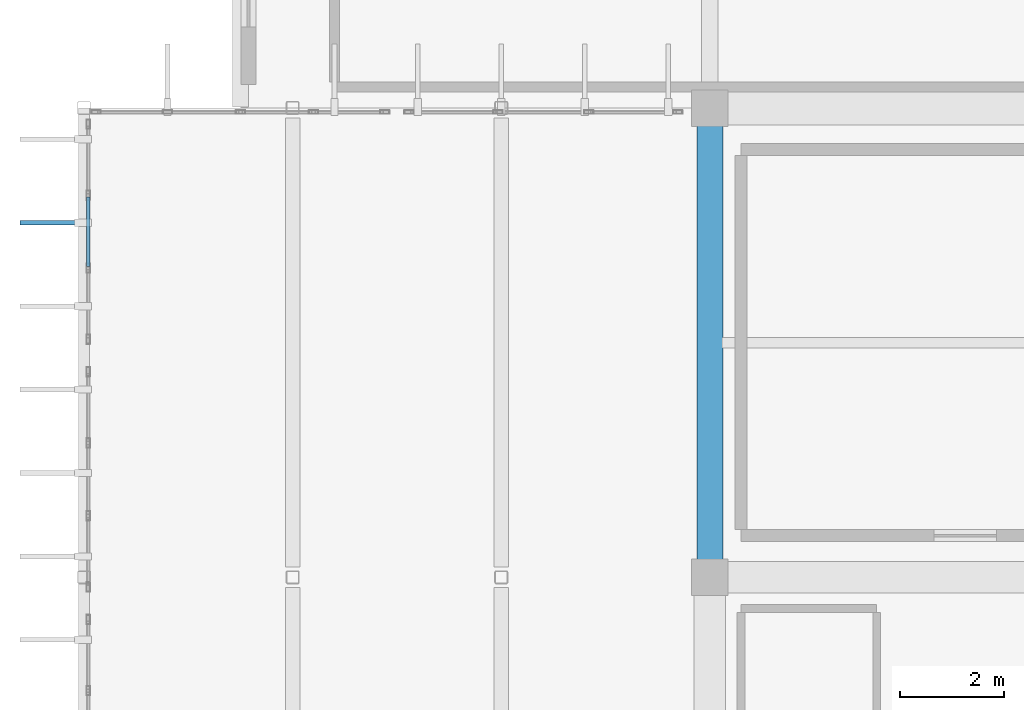
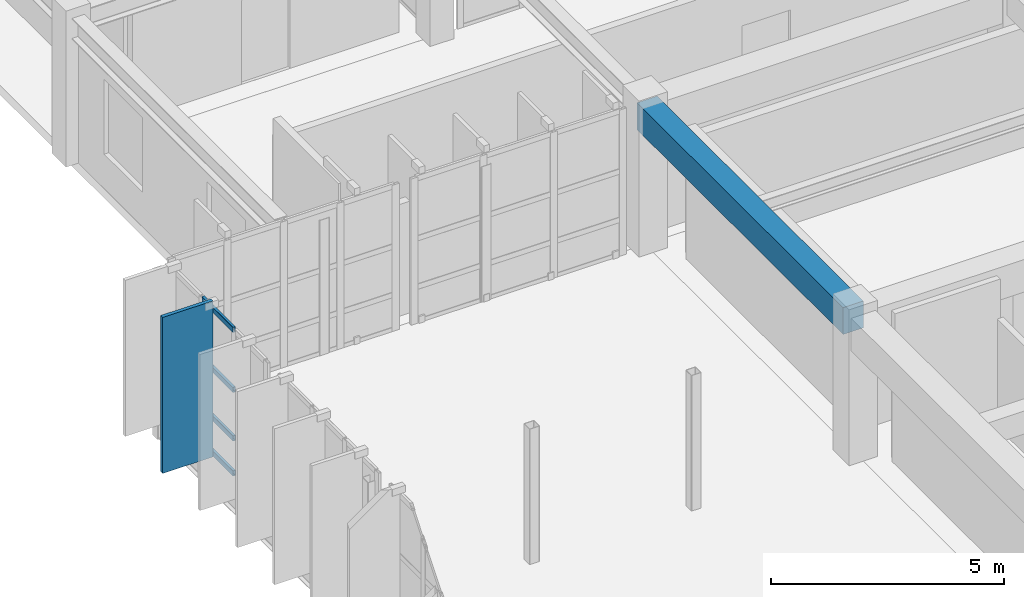
# One storey, part 47 of 110: 5 members, 1 beam, 1 element without a shape of its own.
"""IFC4 building model written with IfcOpenShell, lengths in metres."""

from ifc_helpers import new_model, si_unit, direction, frame, origin, origin_2d, place, context, subcontext, project, spatial, rectangle, hollow_rectangle, extrude, material, material_profile, profile_set, type_object, element, aggregate, save


model = new_model("IFC4")

# Units and contexts
model_context = context("Model", 3, precision=1e-05, world=origin(), true_north=direction((0.0, 1.0)))
body_context = subcontext(model_context, "Body", "Model", "MODEL_VIEW")
ifc_project = project(units=[si_unit("LENGTHUNIT", "METRE"), si_unit("AREAUNIT", "SQUARE_METRE"), si_unit("VOLUMEUNIT", "CUBIC_METRE"), si_unit("PLANEANGLEUNIT", "RADIAN"), si_unit("MASSUNIT", "GRAM", prefix="KILO")], contexts=[model_context])

# Site, building, storey
site_placement = place(None, origin())
site = spatial("IfcSite", under=ifc_project, at=site_placement, CompositionType="ELEMENT")
building_placement = place(site_placement, origin())
building = spatial("IfcBuilding", under=site, at=building_placement, Name="Miravela Opera House", CompositionType="ELEMENT")
storey_placement = place(building_placement, frame((0.0, 0.0, 13.60009765625)))
storey = spatial("IfcBuildingStorey", under=building, at=storey_placement, Name="L03", CompositionType="ELEMENT", Elevation=13.60009765625)

# Curtain wall, members
ifc_material_1 = material(Name="Anodised architectural bronze aluminium 6063-T6", Category="aluminium")
curtain_wall_type = type_object("IfcCurtainWallType", Name="ARC-CW-02", PredefinedType="NOTDEFINED", material=ifc_material_1)
curtain_wall_placement = place(storey_placement, origin())
curtain_wall = element("IfcCurtainWall", 1, at=curtain_wall_placement, inside=storey, type_object=curtain_wall_type, Name="Cantilever West Wrapper Glazing B8 CW-L03-022", PredefinedType="NOTDEFINED")
ifc_material_profile_1 = material_profile(ifc_material_1, hollow_rectangle(XDim=0.06494140625, YDim=0.139892578125, WallThickness=0.00390625, InnerFilletRadius=0.001953125, OuterFilletRadius=0.00390625, at=origin_2d()), Name="CWT-65X140")
ifc_profile_set_1 = profile_set([ifc_material_profile_1])
member_type_1 = type_object("IfcMemberType", Name="ARC-CWT-140", PredefinedType="USERDEFINED", material=ifc_profile_set_1)
member_1_placement = place(storey_placement, frame((15.080078125, 71.959228515625, 0.032470703125), z_axis=(0.0, 1.0, 0.0), x_axis=(-1.0, 0.0, 0.0)))
member_1 = element("IfcMember", 2, at=member_1_placement, type_object=member_type_1, Name="CW-02 transom 2.1", ObjectType="TRANSOM", PredefinedType="USERDEFINED", context=body_context, shape_type="SweptSolid", body=[
    extrude(hollow_rectangle(XDim=0.06494140625, YDim=0.139892578125, WallThickness=0.00390625, InnerFilletRadius=0.001953125, OuterFilletRadius=0.00390625, at=origin_2d()), origin(), (0.0, 0.0, 1.0), 1.33154296875),
])
member_2_placement = place(storey_placement, frame((15.080078125, 71.959228515625, 0.949951171875), z_axis=(0.0, 1.0, 0.0), x_axis=(-1.0, 0.0, 0.0)))
member_2 = element("IfcMember", 3, at=member_2_placement, type_object=member_type_1, Name="CW-02 transom 2.2", ObjectType="TRANSOM", PredefinedType="USERDEFINED", context=body_context, shape_type="SweptSolid", body=[
    extrude(hollow_rectangle(XDim=0.06494140625, YDim=0.139892578125, WallThickness=0.00390625, InnerFilletRadius=0.001953125, OuterFilletRadius=0.00390625, at=origin_2d()), origin(), (0.0, 0.0, 1.0), 1.33154296875),
])
member_3_placement = place(storey_placement, frame((15.080078125, 71.959228515625, 2.215576171875), z_axis=(0.0, 1.0, 0.0), x_axis=(-1.0, 0.0, 0.0)))
member_3 = element("IfcMember", 4, at=member_3_placement, type_object=member_type_1, Name="CW-02 transom 2.3", ObjectType="TRANSOM", PredefinedType="USERDEFINED", context=body_context, shape_type="SweptSolid", body=[
    extrude(hollow_rectangle(XDim=0.06494140625, YDim=0.139892578125, WallThickness=0.00390625, InnerFilletRadius=0.001953125, OuterFilletRadius=0.00390625, at=origin_2d()), origin(), (0.0, 0.0, 1.0), 1.33154296875),
])
member_4_placement = place(storey_placement, frame((15.080078125, 71.959228515625, 3.787353515625), z_axis=(0.0, 1.0, 0.0), x_axis=(-1.0, 0.0, 0.0)))
member_4 = element("IfcMember", 5, at=member_4_placement, type_object=member_type_1, Name="CW-02 transom 2.4", ObjectType="TRANSOM", PredefinedType="USERDEFINED", context=body_context, shape_type="SweptSolid", body=[
    extrude(hollow_rectangle(XDim=0.06494140625, YDim=0.139892578125, WallThickness=0.00390625, InnerFilletRadius=0.001953125, OuterFilletRadius=0.00390625, at=origin_2d()), origin(), (0.0, 0.0, 1.0), 1.33154296875),
])
aggregate(curtain_wall, [member_1, member_2, member_3, member_4])

# Member
ifc_material_profile_2 = material_profile(ifc_material_1, rectangle(XDim=0.090087890625, YDim=1.25, at=origin_2d()), Name="FIN-1250X90")
ifc_profile_set_2 = profile_set([ifc_material_profile_2])
member_type_2 = type_object("IfcMemberType", Name="ARC-FIN-1250", PredefinedType="USERDEFINED", material=ifc_profile_set_2)
member_5_placement = place(storey_placement, frame((14.39501953125, 72.800048828125, 0.0), z_axis=(0.0, 0.0, 1.0), x_axis=(0.0, 1.0, 0.0)))
element("IfcMember", 6, at=member_5_placement, inside=storey, type_object=member_type_2, Name="Auditorium Wrapper Bronze Solar Fin FIN-L03-WEST-0059", ObjectType="FIN", PredefinedType="USERDEFINED", context=body_context, shape_type="SweptSolid", body=[
    extrude(rectangle(XDim=0.090087890625, YDim=1.25, at=origin_2d()), origin(), (0.0, 0.0, 1.0), 4.079833984375),
])

# Beam
ifc_material_2 = material(Name="Concrete C35/45", Category="concrete")
ifc_material_profile_3 = material_profile(ifc_material_2, rectangle(XDim=0.5, YDim=0.699951171875, at=origin_2d()), Name="RC-BM-500X700")
ifc_profile_set_3 = profile_set([ifc_material_profile_3])
beam_type = type_object("IfcBeamType", Name="STR-BM-RC500X700", PredefinedType="BEAM", material=ifc_profile_set_3)
beam_placement = place(storey_placement, frame((27.0, 66.080078125, 3.489990234375), z_axis=(0.0, 1.0, 0.0), x_axis=(-1.0, 0.0, 0.0)))
element("IfcBeam", 7, at=beam_placement, inside=storey, type_object=beam_type, Name="Floor Girder L03 4/H-I", PredefinedType="BEAM", context=body_context, shape_type="SweptSolid", body=[
    extrude(rectangle(XDim=0.5, YDim=0.699951171875, at=origin_2d()), origin(), (0.0, 0.0, 1.0), 8.83984375),
])

save(model, "model.ifc")
